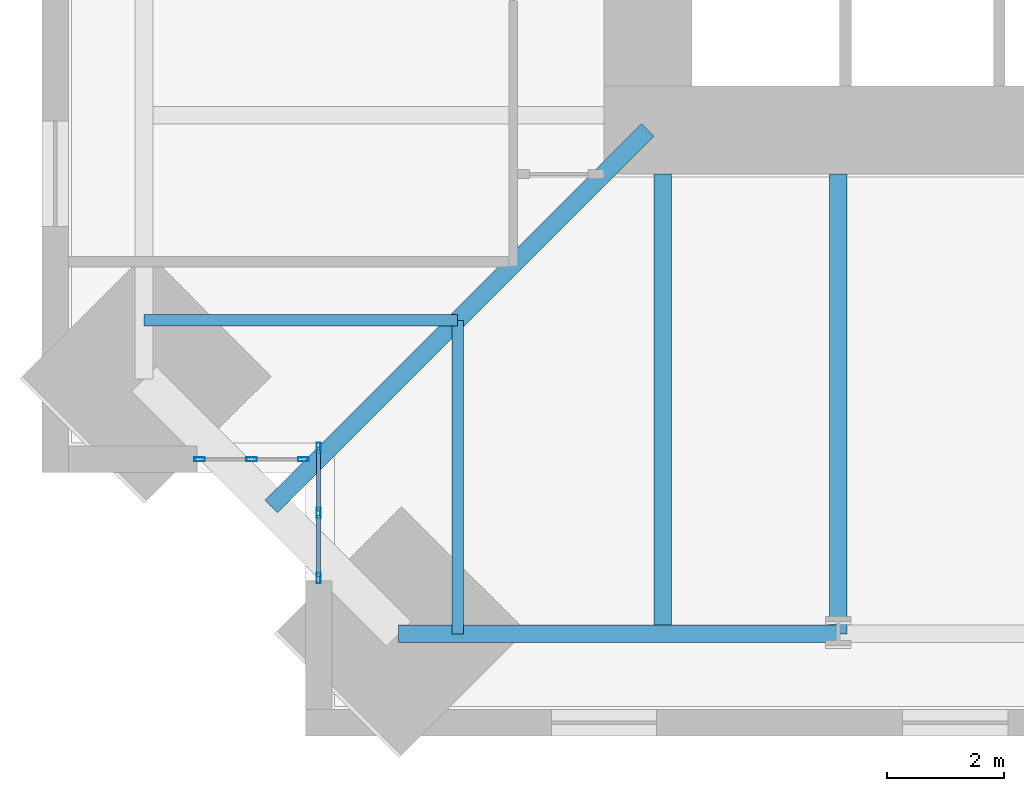
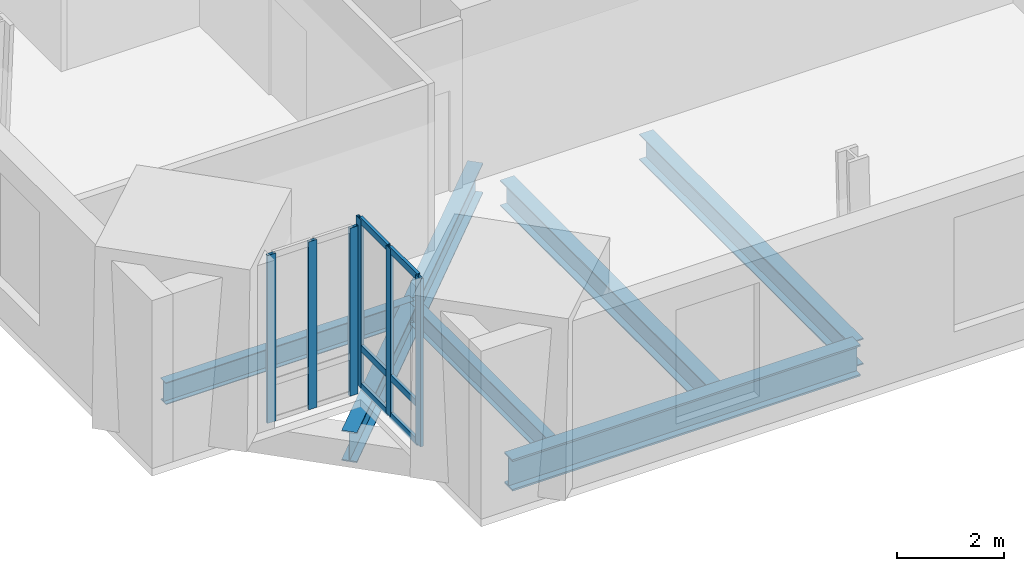
# One storey, part 2 of 16: 12 members, 6 beams, 2 elements without a shape of their own.
"""IFC4 building model written with IfcOpenShell, lengths in metres."""

from ifc_helpers import new_model, si_unit, direction, frame, origin, origin_2d, place, context, subcontext, project, spatial, hollow_rectangle, i_section, extrude, material, material_profile, profile_set, type_object, element, aggregate, save


model = new_model("IFC4")

# Units and contexts
model_context = context("Model", 3, precision=1e-05, world=origin(), true_north=direction((0.0, 1.0)))
body_context = subcontext(model_context, "Body", "Model", "MODEL_VIEW")
ifc_project = project(units=[si_unit("LENGTHUNIT", "METRE"), si_unit("AREAUNIT", "SQUARE_METRE"), si_unit("VOLUMEUNIT", "CUBIC_METRE"), si_unit("PLANEANGLEUNIT", "RADIAN"), si_unit("MASSUNIT", "GRAM", prefix="KILO")], contexts=[model_context])

# Site, building, storey
site_placement = place(None, origin())
site = spatial("IfcSite", under=ifc_project, at=site_placement, CompositionType="ELEMENT")
building_placement = place(site_placement, origin())
building = spatial("IfcBuilding", under=site, at=building_placement, Name="Peilmerk Tower", CompositionType="ELEMENT")
storey_placement = place(building_placement, frame((0.0, 0.0, 273.800048828125)))
storey = spatial("IfcBuildingStorey", under=building, at=storey_placement, Name="L61", CompositionType="ELEMENT", Elevation=273.800048828125)

# Beams
ifc_material_1 = material(Name="Steel S355", Category="steel")
ifc_material_profile_1 = material_profile(ifc_material_1, i_section(OverallWidth=0.300048828125, OverallDepth=0.68994140625, WebThickness=0.014404296875, FlangeThickness=0.027099609375, at=origin_2d()), Name="HEA 700")
ifc_profile_set_1 = profile_set([ifc_material_profile_1], Name="Steel S355")
beam_type_1 = type_object("IfcBeamType", Name="B16 HEA 700 floor beam", PredefinedType="BEAM", material=ifc_profile_set_1)
beam_1_placement = place(storey_placement, frame((-11.25, -11.25, -0.51513671875), z_axis=(-0.707106781187, -0.707106781187, 0.0), x_axis=(0.707106781187, -0.707106781187, 0.0)))
element("IfcBeam", 1, at=beam_1_placement, inside=storey, type_object=beam_type_1, Name="Corner girder L61", PredefinedType="BEAM", context=body_context, shape_type="SweptSolid", body=[
    extrude(i_section(OverallWidth=0.300048828125, OverallDepth=0.68994140625, WebThickness=0.014404296875, FlangeThickness=0.027099609375, at=origin_2d()), origin(), (0.0, 0.0, 1.0), 9.095458984375),
])
ifc_material_profile_2 = material_profile(ifc_material_1, i_section(OverallWidth=0.300048828125, OverallDepth=0.590087890625, WebThickness=0.012939453125, FlangeThickness=0.02490234375, at=origin_2d()), Name="HEA 600")
ifc_profile_set_2 = profile_set([ifc_material_profile_2], Name="Steel S355")
beam_type_2 = type_object("IfcBeamType", Name="B27 HEA 600 floor beam", PredefinedType="BEAM", material=ifc_profile_set_2)
for number, where, z_axis, x_axis, name in (
    (2, (-11.0, -12.0, -0.465087890625), (0.0, -1.0, 0.0), (1.0, 0.0, 0.0), "Floor beam L61"),
    (3, (-8.0, -12.0, -0.465087890625), (0.0, -1.0, 0.0), (1.0, 0.0, 0.0), "Floor beam L61"),
):
    element("IfcBeam", number, at=place(storey_placement, frame(where, z_axis=z_axis, x_axis=x_axis)), inside=storey, type_object=beam_type_2, Name=name, PredefinedType="BEAM", context=body_context, shape_type="SweptSolid", body=[
        extrude(i_section(OverallWidth=0.300048828125, OverallDepth=0.590087890625, WebThickness=0.012939453125, FlangeThickness=0.02490234375, at=origin_2d()), origin(), (0.0, 0.0, 1.0), 7.8564453125),
    ])
ifc_material_profile_3 = material_profile(ifc_material_1, i_section(OverallWidth=0.303955078125, OverallDepth=0.716064453125, WebThickness=0.02099609375, FlangeThickness=0.0400390625, at=origin_2d()), Name="HEM 700")
ifc_profile_set_3 = profile_set([ifc_material_profile_3], Name="Steel S355")
beam_type_3 = type_object("IfcBeamType", Name="B30 HEM 700 edge beam", PredefinedType="SPANDREL", material=ifc_profile_set_3)
beam_2_placement = place(storey_placement, frame((-15.50634765625, -19.8564453125, -0.528076171875), z_axis=(1.0, 0.0, 0.0), x_axis=(0.0, 1.0, 0.0)))
element("IfcBeam", 4, at=beam_2_placement, inside=storey, type_object=beam_type_3, Name="Edge beam L61", PredefinedType="SPANDREL", context=body_context, shape_type="SweptSolid", body=[
    extrude(i_section(OverallWidth=0.303955078125, OverallDepth=0.716064453125, WebThickness=0.02099609375, FlangeThickness=0.0400390625, at=origin_2d()), origin(), (0.0, 0.0, 1.0), 7.50634765625),
])
ifc_material_profile_4 = material_profile(ifc_material_1, i_section(OverallWidth=0.199951171875, OverallDepth=0.5, WebThickness=0.01025390625, FlangeThickness=0.01611328125, at=origin_2d()), Name="IPE 500")
ifc_profile_set_4 = profile_set([ifc_material_profile_4], Name="Steel S355")
beam_type_4 = type_object("IfcBeamType", Name="B32 IPE 500 floor beam", PredefinedType="BEAM", material=ifc_profile_set_4)
for number, where, z_axis, x_axis, name in (
    (5, (-14.5, -14.5, -0.420166015625), (0.0, -1.0, 0.0), (1.0, 0.0, 0.0), "Floor beam L61"),
    (6, (-14.5, -14.5, -0.420166015625), (-1.0, 0.0, 0.0), (0.0, -1.0, 0.0), "Floor beam L61"),
):
    element("IfcBeam", number, at=place(storey_placement, frame(where, z_axis=z_axis, x_axis=x_axis)), inside=storey, type_object=beam_type_4, Name=name, PredefinedType="BEAM", context=body_context, shape_type="SweptSolid", body=[
        extrude(i_section(OverallWidth=0.199951171875, OverallDepth=0.5, WebThickness=0.01025390625, FlangeThickness=0.01611328125, at=origin_2d()), origin(), (0.0, 0.0, 1.0), 5.3564453125),
    ])

# Curtain wall, members
ifc_material_2 = material(Name="Aluminium stick curtain wall", Category="aluminium")
curtain_wall_type = type_object("IfcCurtainWallType", Name="CW4 stick curtain wall, 2250 module", PredefinedType="NOTDEFINED", material=ifc_material_2)
curtain_wall_1_placement = place(storey_placement, origin())
curtain_wall_1 = element("IfcCurtainWall", 7, at=curtain_wall_1_placement, inside=storey, type_object=curtain_wall_type, Name="Curtain wall CW4 SWA L61", PredefinedType="NOTDEFINED")
ifc_material_3 = material(Name="Aluminium EN AW-6063 T6", Category="aluminium")
ifc_material_profile_5 = material_profile(ifc_material_3, hollow_rectangle(XDim=0.06494140625, YDim=0.179931640625, WallThickness=0.0029296875, at=origin_2d()), Name="AL 180x65x3")
ifc_profile_set_5 = profile_set([ifc_material_profile_5], Name="Aluminium EN AW-6063 T6")
member_type_1 = type_object("IfcMemberType", Name="CW4-M AL 180x65x3 mullion", PredefinedType="MULLION", material=ifc_profile_set_5)
member_1_placement = place(storey_placement, frame((-16.875, -16.6826171875, 0.0), z_axis=(0.0, 0.0, 1.0), x_axis=(1.0, 0.0, 0.0)))
member_1 = element("IfcMember", 8, at=member_1_placement, type_object=member_type_1, Name="CW4 mullion 1", PredefinedType="MULLION", context=body_context, shape_type="SweptSolid", body=[
    extrude(hollow_rectangle(XDim=0.06494140625, YDim=0.179931640625, WallThickness=0.0029296875, at=origin_2d()), origin(), (0.0, 0.0, 1.0), 3.829833984375),
])
member_2_placement = place(storey_placement, frame((-16.875, -17.79443359375, 0.0), z_axis=(0.0, 0.0, 1.0), x_axis=(1.0, 0.0, 0.0)))
member_2 = element("IfcMember", 9, at=member_2_placement, type_object=member_type_1, Name="CW4 mullion 2", PredefinedType="MULLION", context=body_context, shape_type="SweptSolid", body=[
    extrude(hollow_rectangle(XDim=0.06494140625, YDim=0.179931640625, WallThickness=0.0029296875, at=origin_2d()), origin(), (0.0, 0.0, 1.0), 3.829833984375),
])
member_3_placement = place(storey_placement, frame((-16.875, -18.90625, 0.0), z_axis=(0.0, 0.0, 1.0), x_axis=(1.0, 0.0, 0.0)))
member_3 = element("IfcMember", 10, at=member_3_placement, type_object=member_type_1, Name="CW4 mullion 3", PredefinedType="MULLION", context=body_context, shape_type="SweptSolid", body=[
    extrude(hollow_rectangle(XDim=0.06494140625, YDim=0.179931640625, WallThickness=0.0029296875, at=origin_2d()), origin(), (0.0, 0.0, 1.0), 3.829833984375),
])

curtain_wall_2_placement = place(storey_placement, origin())
curtain_wall_2 = element("IfcCurtainWall", 11, at=curtain_wall_2_placement, inside=storey, type_object=curtain_wall_type, Name="Curtain wall CW4 SWB L61", PredefinedType="NOTDEFINED")
member_4_placement = place(storey_placement, frame((-17.132568359375, -16.875, 0.0), z_axis=(0.0, 0.0, 1.0), x_axis=(0.0, -1.0, 0.0)))
member_4 = element("IfcMember", 12, at=member_4_placement, type_object=member_type_1, Name="CW4 mullion 1", PredefinedType="MULLION", context=body_context, shape_type="SweptSolid", body=[
    extrude(hollow_rectangle(XDim=0.06494140625, YDim=0.179931640625, WallThickness=0.0029296875, at=origin_2d()), origin(), (0.0, 0.0, 1.0), 3.829833984375),
])
member_5_placement = place(storey_placement, frame((-18.019287109375, -16.875, 0.0), z_axis=(0.0, 0.0, 1.0), x_axis=(0.0, -1.0, 0.0)))
member_5 = element("IfcMember", 13, at=member_5_placement, type_object=member_type_1, Name="CW4 mullion 2", PredefinedType="MULLION", context=body_context, shape_type="SweptSolid", body=[
    extrude(hollow_rectangle(XDim=0.06494140625, YDim=0.179931640625, WallThickness=0.0029296875, at=origin_2d()), origin(), (0.0, 0.0, 1.0), 3.829833984375),
])
member_6_placement = place(storey_placement, frame((-18.90625, -16.875, 0.0), z_axis=(0.0, 0.0, 1.0), x_axis=(0.0, -1.0, 0.0)))
member_6 = element("IfcMember", 14, at=member_6_placement, type_object=member_type_1, Name="CW4 mullion 3", PredefinedType="MULLION", context=body_context, shape_type="SweptSolid", body=[
    extrude(hollow_rectangle(XDim=0.06494140625, YDim=0.179931640625, WallThickness=0.0029296875, at=origin_2d()), origin(), (0.0, 0.0, 1.0), 3.829833984375),
])
aggregate(curtain_wall_2, [member_4, member_5, member_6])

# Member
ifc_material_profile_6 = material_profile(ifc_material_3, hollow_rectangle(XDim=0.06494140625, YDim=0.14990234375, WallThickness=0.0029296875, at=origin_2d()), Name="AL 150x65x3")
ifc_profile_set_6 = profile_set([ifc_material_profile_6], Name="Aluminium EN AW-6063 T6")
member_type_2 = type_object("IfcMemberType", Name="CW4-T AL 150x65x3 transom", PredefinedType="USERDEFINED", material=ifc_profile_set_6)
member_7_placement = place(storey_placement, frame((-16.875, -16.715087890625, 0.032470703125), z_axis=(0.0, -1.0, 0.0), x_axis=(1.0, 0.0, 0.0)))
member_7 = element("IfcMember", 15, at=member_7_placement, type_object=member_type_2, Name="CW4 transom 1.1", ObjectType="TRANSOM", PredefinedType="USERDEFINED", context=body_context, shape_type="SweptSolid", body=[
    extrude(hollow_rectangle(XDim=0.06494140625, YDim=0.14990234375, WallThickness=0.0029296875, at=origin_2d()), origin(), (0.0, 0.0, 1.0), 1.046630859375),
])

member_8_placement = place(storey_placement, frame((-16.875, -16.715087890625, 0.89990234375), z_axis=(0.0, -1.0, 0.0), x_axis=(1.0, 0.0, 0.0)))
member_8 = element("IfcMember", 16, at=member_8_placement, type_object=member_type_2, Name="CW4 transom 1.2", ObjectType="TRANSOM", PredefinedType="USERDEFINED", context=body_context, shape_type="SweptSolid", body=[
    extrude(hollow_rectangle(XDim=0.06494140625, YDim=0.14990234375, WallThickness=0.0029296875, at=origin_2d()), origin(), (0.0, 0.0, 1.0), 1.046630859375),
])

member_9_placement = place(storey_placement, frame((-16.875, -16.715087890625, 3.79736328125), z_axis=(0.0, -1.0, 0.0), x_axis=(1.0, 0.0, 0.0)))
member_9 = element("IfcMember", 17, at=member_9_placement, type_object=member_type_2, Name="CW4 transom 1.3", ObjectType="TRANSOM", PredefinedType="USERDEFINED", context=body_context, shape_type="SweptSolid", body=[
    extrude(hollow_rectangle(XDim=0.06494140625, YDim=0.14990234375, WallThickness=0.0029296875, at=origin_2d()), origin(), (0.0, 0.0, 1.0), 1.046630859375),
])

member_10_placement = place(storey_placement, frame((-16.875, -17.826904296875, 0.032470703125), z_axis=(0.0, -1.0, 0.0), x_axis=(1.0, 0.0, 0.0)))
member_10 = element("IfcMember", 18, at=member_10_placement, type_object=member_type_2, Name="CW4 transom 2.1", ObjectType="TRANSOM", PredefinedType="USERDEFINED", context=body_context, shape_type="SweptSolid", body=[
    extrude(hollow_rectangle(XDim=0.06494140625, YDim=0.14990234375, WallThickness=0.0029296875, at=origin_2d()), origin(), (0.0, 0.0, 1.0), 1.046875),
])

member_11_placement = place(storey_placement, frame((-16.875, -17.826904296875, 0.89990234375), z_axis=(0.0, -1.0, 0.0), x_axis=(1.0, 0.0, 0.0)))
member_11 = element("IfcMember", 19, at=member_11_placement, type_object=member_type_2, Name="CW4 transom 2.2", ObjectType="TRANSOM", PredefinedType="USERDEFINED", context=body_context, shape_type="SweptSolid", body=[
    extrude(hollow_rectangle(XDim=0.06494140625, YDim=0.14990234375, WallThickness=0.0029296875, at=origin_2d()), origin(), (0.0, 0.0, 1.0), 1.046875),
])

member_12_placement = place(storey_placement, frame((-16.875, -17.826904296875, 3.79736328125), z_axis=(0.0, -1.0, 0.0), x_axis=(1.0, 0.0, 0.0)))
member_12 = element("IfcMember", 20, at=member_12_placement, type_object=member_type_2, Name="CW4 transom 2.3", ObjectType="TRANSOM", PredefinedType="USERDEFINED", context=body_context, shape_type="SweptSolid", body=[
    extrude(hollow_rectangle(XDim=0.06494140625, YDim=0.14990234375, WallThickness=0.0029296875, at=origin_2d()), origin(), (0.0, 0.0, 1.0), 1.046875),
])

aggregate(curtain_wall_1, [member_1, member_2, member_3, member_7, member_8, member_9, member_10, member_11, member_12])

save(model, "model.ifc")
